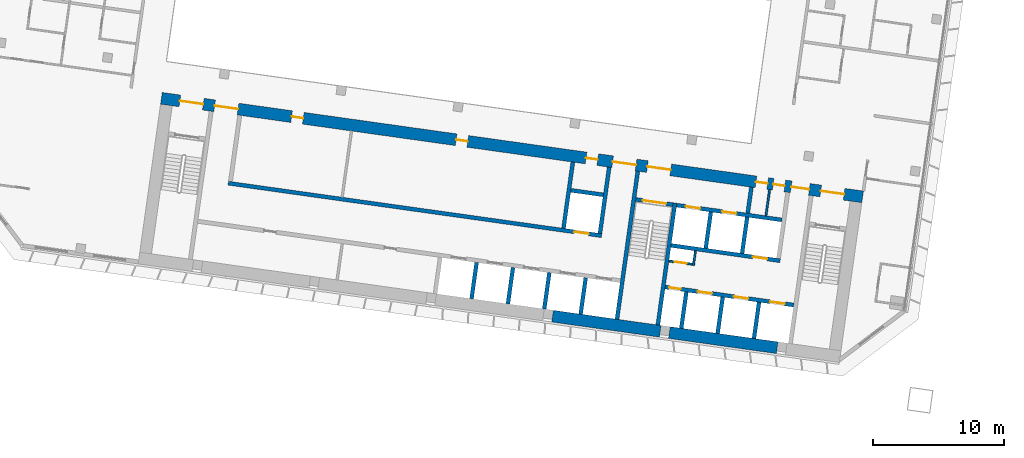
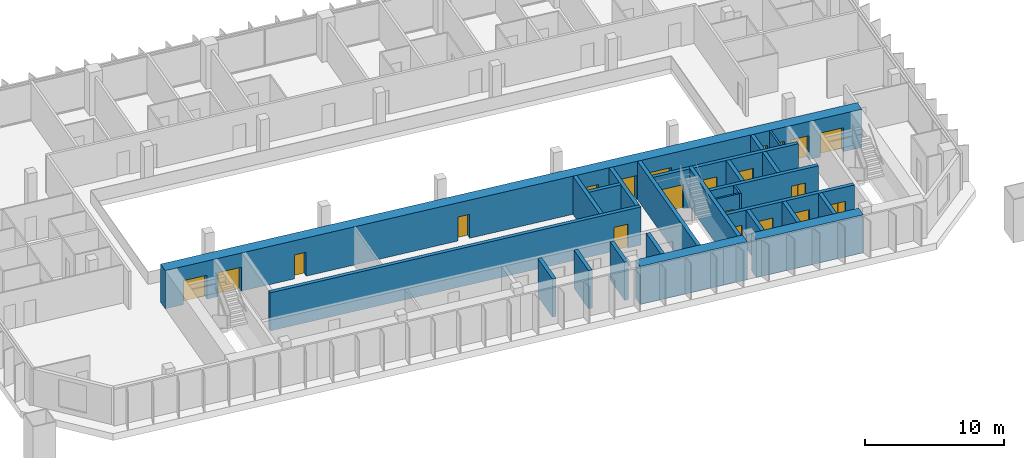
# One storey, part 15 of 24: 26 walls, 21 doors, 21 openings.
"""IFC4 building model written with IfcOpenShell, lengths in metres."""

from ifc_helpers import new_model, si_unit, direction, frame, frame_2d, origin, place, context, subcontext, project, spatial, rectangle, extrude, material, layer, layer_set, type_object, element, fill, save


model = new_model("IFC4")

# Units and contexts
model_context = context("Model", 3, precision=1e-05, world=origin(), true_north=direction((0.0, 1.0)))
body_context = subcontext(model_context, "Body", "Model", "MODEL_VIEW")
ifc_project = project(units=[si_unit("LENGTHUNIT", "METRE"), si_unit("AREAUNIT", "SQUARE_METRE"), si_unit("VOLUMEUNIT", "CUBIC_METRE"), si_unit("PLANEANGLEUNIT", "RADIAN"), si_unit("MASSUNIT", "GRAM", prefix="KILO")], contexts=[model_context])

# Site, building, storey
site_placement = place(None, origin())
site = spatial("IfcSite", under=ifc_project, at=site_placement, CompositionType="ELEMENT")
building_placement = place(site_placement, origin())
building = spatial("IfcBuilding", under=site, at=building_placement, Name="Mirante Cascada Hotel Towers", CompositionType="ELEMENT")
storey_placement = place(building_placement, frame((0.0, 0.0, 43.3)))
storey = spatial("IfcBuildingStorey", under=building, at=storey_placement, Name="L07", CompositionType="ELEMENT", Elevation=43.3)

# Wall
ifc_material_1 = material(Name="Masonry block", Category="masonry")
ifc_layer_1 = layer(ifc_material_1, 0.15)
ifc_layer_set_1 = layer_set([ifc_layer_1], Name="Core room partition 150 block EI 30")
wall_type_1 = type_object("IfcWallType", Name="Core room partition 150 block EI 30", PredefinedType="PARTITIONING", material=ifc_layer_set_1)
wall_1_placement = place(storey_placement, frame((-48.2295, -12.793, 0.0), z_axis=(0.0, 0.0, 1.0), x_axis=(0.1391935, 0.9902652, 0.0)))
element("IfcWall", 1, at=wall_1_placement, inside=storey, type_object=wall_type_1, Name="Core wall partition T1 L07 2", PredefinedType="PARTITIONING", context=body_context, shape_type="SweptSolid", body=[
    extrude(rectangle(XDim=1.1251, YDim=0.15, at=frame_2d((0.5626, 0.0))), origin(), (0.0, 0.0, 1.0), 3.35),
])

# Wall, opening, door
wall_2_placement = place(storey_placement, frame((-48.2933, -12.7083, 0.0), z_axis=(0.0, 0.0, 1.0), x_axis=(-0.990268, 0.1391734, 0.0)))
wall_2 = element("IfcWall", 2, at=wall_2_placement, inside=storey, type_object=wall_type_1, Name="Core wall partition T1 L07 3", PredefinedType="PARTITIONING", context=body_context, shape_type="SweptSolid", body=[
    extrude(rectangle(XDim=1.8251, YDim=0.15, at=frame_2d((0.9126, 0.0))), origin(), (0.0, 0.0, 1.0), 3.35),
])
opening_1_placement = place(wall_2_placement, frame((0.4625, 0.0, 0.0)))
opening_1 = element("IfcOpeningElement", 3, at=opening_1_placement, cuts=wall_2, Name="Opening D1-07-C23", PredefinedType="OPENING", context=body_context, shape_type="SweptSolid", body=[
    extrude(rectangle(XDim=0.9, YDim=2.1, at=frame_2d((0.45, 1.05))), frame((0.0, 0.075, 0.0), z_axis=(0.0, -1.0, 0.0), x_axis=(1.0, 0.0, 0.0)), (0.0, 0.0, 1.0), 0.15),
])
ifc_material_2 = material(Name="Hollow metal fire door leaf")
door_type_1 = type_object("IfcDoorType", Name="Fire door 900x2100 FD60", OperationType="NOTDEFINED", PredefinedType="DOOR", material=ifc_material_2)
door_1_placement = place(opening_1_placement, origin())
door_1 = element("IfcDoor", 4, at=door_1_placement, inside=storey, type_object=door_type_1, Name="Riser door T1 L07 23", OperationType="SINGLE_SWING_LEFT", OverallHeight=2.1, OverallWidth=0.9, PredefinedType="DOOR", context=body_context, shape_type="SweptSolid", body=[
    extrude(rectangle(XDim=0.9, YDim=2.1, at=frame_2d((0.45, 1.05))), frame((0.0, 0.025, 0.0), z_axis=(0.0, -1.0, 0.0), x_axis=(1.0, 0.0, 0.0)), (0.0, 0.0, 1.0), 0.05),
])
fill(opening_1, door_1)

# Walls
wall_3_placement = place(storey_placement, frame((-42.6979, -9.0009, 0.0), z_axis=(0.0, 0.0, 1.0), x_axis=(0.1391529, 0.9902709, 0.0)))
element("IfcWall", 5, at=wall_3_placement, inside=storey, type_object=wall_type_1, Name="Core wall partition T1 L07 4", PredefinedType="PARTITIONING", context=body_context, shape_type="SweptSolid", body=[
    extrude(rectangle(XDim=2.0, YDim=0.15, at=frame_2d((1.0, 0.0))), origin(), (0.0, 0.0, 1.0), 3.35),
])
ifc_material_3 = material(Name="Masonry block", Category="masonry")
ifc_layer_2 = layer(ifc_material_3, 0.3)
ifc_layer_set_2 = layer_set([ifc_layer_2], Name="Core wall 300 block EI 120")
wall_type_2 = type_object("IfcWallType", Name="Core wall 300 block EI 120", PredefinedType="PARTITIONING", material=ifc_layer_set_2)
wall_4_placement = place(storey_placement, frame((-44.0843, -8.8061, 0.0), z_axis=(0.0, 0.0, 1.0), x_axis=(0.1391951, 0.990265, 0.0)))
element("IfcWall", 6, at=wall_4_placement, inside=storey, type_object=wall_type_2, Name="Core wall partition T1 L07 1", PredefinedType="PARTITIONING", context=body_context, shape_type="SweptSolid", body=[
    extrude(rectangle(XDim=2.0001, YDim=0.3, at=frame_2d((1.0001, 0.0))), origin(), (0.0, 0.0, 1.0), 3.35),
])
ifc_material_4 = material(Name="Concrete C50/60", Category="concrete")
ifc_layer_3 = layer(ifc_material_4, 0.3)
ifc_layer_set_3 = layer_set([ifc_layer_3], Name="RC core wall 300 C50/60")
wall_type_3 = type_object("IfcWallType", Name="RC core wall 300 C50/60", PredefinedType="SHEAR", material=ifc_layer_set_3)
wall_5_placement = place(storey_placement, frame((-50.938, -17.3352, 0.0), z_axis=(0.0, 0.0, 1.0), x_axis=(0.1391706, 0.9902684, 0.0)))
element("IfcWall", 7, at=wall_5_placement, inside=storey, type_object=wall_type_3, Name="Core wall T1:L07:6", PredefinedType="SHEAR", context=body_context, shape_type="SweptSolid", body=[
    extrude(rectangle(XDim=9.4, YDim=0.3, at=frame_2d((4.7, 0.0))), origin(), (0.0, 0.0, 1.0), 3.35),
])
wall_6_placement = place(storey_placement, frame((-54.0574, -16.8968, 0.0), z_axis=(0.0, 0.0, 1.0), x_axis=(0.1391761, 0.9902677, 0.0)))
element("IfcWall", 8, at=wall_6_placement, inside=storey, type_object=wall_type_3, Name="Core wall T1:L07:7", PredefinedType="SHEAR", context=body_context, shape_type="SweptSolid", body=[
    extrude(rectangle(XDim=11.3999, YDim=0.3, at=frame_2d((5.7, 0.0))), origin(), (0.0, 0.0, 1.0), 3.35),
])

# Wall, opening, door
wall_7_placement = place(storey_placement, frame((-49.7992, -8.1544, 0.0), z_axis=(0.0, 0.0, 1.0), x_axis=(-0.9902656, 0.1391909, 0.0)))
wall_7 = element("IfcWall", 9, at=wall_7_placement, inside=storey, type_object=wall_type_3, Name="Core wall T1:L07:10", PredefinedType="SHEAR", context=body_context, shape_type="SweptSolid", body=[
    extrude(rectangle(XDim=2.85, YDim=0.3, at=frame_2d((1.425, 0.0))), origin(), (0.0, 0.0, 1.0), 3.35),
])
opening_2_placement = place(wall_7_placement, frame((0.525, 0.0, 0.0)))
opening_2 = element("IfcOpeningElement", 10, at=opening_2_placement, cuts=wall_7, Name="Opening D1-07-C15", PredefinedType="OPENING", context=body_context, shape_type="SweptSolid", body=[
    extrude(rectangle(XDim=1.8, YDim=2.1, at=frame_2d((0.9, 1.05))), frame((0.0, 0.15, 0.0), z_axis=(0.0, -1.0, 0.0), x_axis=(1.0, 0.0, 0.0)), (0.0, 0.0, 1.0), 0.3),
])
ifc_material_5 = material(Name="Hollow metal fire door leaf")
door_type_2 = type_object("IfcDoorType", Name="Double fire door 1800x2100 FD60", OperationType="DOUBLE_DOOR_SINGLE_SWING", PredefinedType="DOOR", material=ifc_material_5)
door_2_placement = place(opening_2_placement, origin())
door_2 = element("IfcDoor", 11, at=door_2_placement, inside=storey, type_object=door_type_2, Name="Stair door T1 L07 15", OperationType="DOUBLE_DOOR_SINGLE_SWING", OverallHeight=2.1, OverallWidth=1.8, PredefinedType="DOOR", context=body_context, shape_type="SweptSolid", body=[
    extrude(rectangle(XDim=0.895, YDim=2.1, at=frame_2d((0.4475, 1.05))), frame((0.0, 0.025, 0.0), z_axis=(0.0, -1.0, 0.0), x_axis=(1.0, 0.0, 0.0)), (0.0, 0.0, 1.0), 0.05),
    extrude(rectangle(XDim=0.895, YDim=2.1, at=frame_2d((1.3525, 1.05))), frame((0.0, 0.025, 0.0), z_axis=(0.0, -1.0, 0.0), x_axis=(1.0, 0.0, 0.0)), (0.0, 0.0, 1.0), 0.05),
])
fill(opening_2, door_2)

# Wall, openings, doors
wall_8_placement = place(storey_placement, frame((-40.5753, -15.8126, 0.0), z_axis=(0.0, 0.0, 1.0), x_axis=(-0.9902682, 0.1391725, 0.0)))
wall_8 = element("IfcWall", 12, at=wall_8_placement, inside=storey, type_object=wall_type_3, Name="Core wall T1:L07:12", PredefinedType="SHEAR", context=body_context, shape_type="SweptSolid", body=[
    extrude(rectangle(XDim=9.8999, YDim=0.3, at=frame_2d((4.95, 0.0))), origin(), (0.0, 0.0, 1.0), 3.35),
])
opening_3_placement = place(wall_8_placement, frame((0.7, 0.0, 0.0)))
opening_3 = element("IfcOpeningElement", 13, at=opening_3_placement, cuts=wall_8, Name="Opening LD", PredefinedType="OPENING", context=body_context, shape_type="SweptSolid", body=[
    extrude(rectangle(XDim=1.1, YDim=2.1, at=frame_2d((0.55, 1.05))), frame((0.0, 0.15, 0.0), z_axis=(0.0, -1.0, 0.0), x_axis=(1.0, 0.0, 0.0)), (0.0, 0.0, 1.0), 0.3),
])
opening_4_placement = place(wall_8_placement, frame((3.5, 0.0, 0.0)))
opening_4 = element("IfcOpeningElement", 14, at=opening_4_placement, cuts=wall_8, Name="Opening LD", PredefinedType="OPENING", context=body_context, shape_type="SweptSolid", body=[
    extrude(rectangle(XDim=1.1, YDim=2.1, at=frame_2d((0.55, 1.05))), frame((0.0, 0.15, 0.0), z_axis=(0.0, -1.0, 0.0), x_axis=(1.0, 0.0, 0.0)), (0.0, 0.0, 1.0), 0.3),
])
opening_5_placement = place(wall_8_placement, frame((6.3, 0.0, 0.0)))
opening_5 = element("IfcOpeningElement", 15, at=opening_5_placement, cuts=wall_8, Name="Opening LD", PredefinedType="OPENING", context=body_context, shape_type="SweptSolid", body=[
    extrude(rectangle(XDim=1.1, YDim=2.1, at=frame_2d((0.55, 1.05))), frame((0.0, 0.15, 0.0), z_axis=(0.0, -1.0, 0.0), x_axis=(1.0, 0.0, 0.0)), (0.0, 0.0, 1.0), 0.3),
])
opening_6_placement = place(wall_8_placement, frame((8.7, 0.0, 0.0)))
opening_6 = element("IfcOpeningElement", 16, at=opening_6_placement, cuts=wall_8, Name="Opening D1-07-C22", PredefinedType="OPENING", context=body_context, shape_type="SweptSolid", body=[
    extrude(rectangle(XDim=0.9, YDim=2.1, at=frame_2d((0.45, 1.05))), frame((0.0, 0.15, 0.0), z_axis=(0.0, -1.0, 0.0), x_axis=(1.0, 0.0, 0.0)), (0.0, 0.0, 1.0), 0.3),
])
door_3_placement = place(opening_6_placement, origin())
door_3 = element("IfcDoor", 17, at=door_3_placement, inside=storey, type_object=door_type_1, Name="Riser door T1 L07 22", OperationType="SINGLE_SWING_LEFT", OverallHeight=2.1, OverallWidth=0.9, PredefinedType="DOOR", context=body_context, shape_type="SweptSolid", body=[
    extrude(rectangle(XDim=0.9, YDim=2.1, at=frame_2d((0.45, 1.05))), frame((0.0, 0.025, 0.0), z_axis=(0.0, -1.0, 0.0), x_axis=(1.0, 0.0, 0.0)), (0.0, 0.0, 1.0), 0.05),
])
fill(opening_6, door_3)
ifc_material_6 = material(Name="Stainless steel", Category="steel")
door_type_3 = type_object("IfcDoorType", Name="Lift landing door 1100x2100 EI 120", OperationType="DOUBLE_DOOR_SLIDING", PredefinedType="DOOR", material=ifc_material_6)
door_4_placement = place(opening_3_placement, origin())
door_4 = element("IfcDoor", 18, at=door_4_placement, inside=storey, type_object=door_type_3, Name="Lift landing door HR1-1 L07", OperationType="DOUBLE_DOOR_SLIDING", OverallHeight=2.1, OverallWidth=1.1, PredefinedType="DOOR", context=body_context, shape_type="SweptSolid", body=[
    extrude(rectangle(XDim=0.545, YDim=2.1, at=frame_2d((0.2725, 1.05))), frame((0.0, 0.025, 0.0), z_axis=(0.0, -1.0, 0.0), x_axis=(1.0, 0.0, 0.0)), (0.0, 0.0, 1.0), 0.05),
    extrude(rectangle(XDim=0.545, YDim=2.1, at=frame_2d((0.8275, 1.05))), frame((0.0, 0.025, 0.0), z_axis=(0.0, -1.0, 0.0), x_axis=(1.0, 0.0, 0.0)), (0.0, 0.0, 1.0), 0.05),
])
fill(opening_3, door_4)
door_5_placement = place(opening_4_placement, origin())
door_5 = element("IfcDoor", 19, at=door_5_placement, inside=storey, type_object=door_type_3, Name="Lift landing door HR1-2 L07", OperationType="DOUBLE_DOOR_SLIDING", OverallHeight=2.1, OverallWidth=1.1, PredefinedType="DOOR", context=body_context, shape_type="SweptSolid", body=[
    extrude(rectangle(XDim=0.545, YDim=2.1, at=frame_2d((0.2725, 1.05))), frame((0.0, 0.025, 0.0), z_axis=(0.0, -1.0, 0.0), x_axis=(1.0, 0.0, 0.0)), (0.0, 0.0, 1.0), 0.05),
    extrude(rectangle(XDim=0.545, YDim=2.1, at=frame_2d((0.8275, 1.05))), frame((0.0, 0.025, 0.0), z_axis=(0.0, -1.0, 0.0), x_axis=(1.0, 0.0, 0.0)), (0.0, 0.0, 1.0), 0.05),
])
fill(opening_4, door_5)
door_6_placement = place(opening_5_placement, origin())
door_6 = element("IfcDoor", 20, at=door_6_placement, inside=storey, type_object=door_type_3, Name="Lift landing door HR1-3 L07", OperationType="DOUBLE_DOOR_SLIDING", OverallHeight=2.1, OverallWidth=1.1, PredefinedType="DOOR", context=body_context, shape_type="SweptSolid", body=[
    extrude(rectangle(XDim=0.545, YDim=2.1, at=frame_2d((0.2725, 1.05))), frame((0.0, 0.025, 0.0), z_axis=(0.0, -1.0, 0.0), x_axis=(1.0, 0.0, 0.0)), (0.0, 0.0, 1.0), 0.05),
    extrude(rectangle(XDim=0.545, YDim=2.1, at=frame_2d((0.8275, 1.05))), frame((0.0, 0.025, 0.0), z_axis=(0.0, -1.0, 0.0), x_axis=(1.0, 0.0, 0.0)), (0.0, 0.0, 1.0), 0.05),
])
fill(opening_5, door_6)

# Wall, opening, door
wall_9_placement = place(storey_placement, frame((-41.6153, -12.435, 0.0), z_axis=(0.0, 0.0, 1.0), x_axis=(-0.9902691, 0.139166, 0.0)))
wall_9 = element("IfcWall", 21, at=wall_9_placement, inside=storey, type_object=wall_type_3, Name="Core wall T1:L07:13", PredefinedType="SHEAR", context=body_context, shape_type="SweptSolid", body=[
    extrude(rectangle(XDim=8.4, YDim=0.3, at=frame_2d((4.2, 0.0))), origin(), (0.0, 0.0, 1.0), 3.35),
])
opening_7_placement = place(wall_9_placement, frame((1.0, 0.0, 0.0)))
opening_7 = element("IfcOpeningElement", 22, at=opening_7_placement, cuts=wall_9, Name="Opening LD", PredefinedType="OPENING", context=body_context, shape_type="SweptSolid", body=[
    extrude(rectangle(XDim=1.1, YDim=2.1, at=frame_2d((0.55, 1.05))), frame((0.0, 0.15, 0.0), z_axis=(0.0, -1.0, 0.0), x_axis=(1.0, 0.0, 0.0)), (0.0, 0.0, 1.0), 0.3),
])
door_7_placement = place(opening_7_placement, origin())
door_7 = element("IfcDoor", 23, at=door_7_placement, inside=storey, type_object=door_type_3, Name="Lift landing door HR1-4 L07", OperationType="DOUBLE_DOOR_SLIDING", OverallHeight=2.1, OverallWidth=1.1, PredefinedType="DOOR", context=body_context, shape_type="SweptSolid", body=[
    extrude(rectangle(XDim=0.545, YDim=2.1, at=frame_2d((0.2725, 1.05))), frame((0.0, 0.025, 0.0), z_axis=(0.0, -1.0, 0.0), x_axis=(1.0, 0.0, 0.0)), (0.0, 0.0, 1.0), 0.05),
    extrude(rectangle(XDim=0.545, YDim=2.1, at=frame_2d((0.8275, 1.05))), frame((0.0, 0.025, 0.0), z_axis=(0.0, -1.0, 0.0), x_axis=(1.0, 0.0, 0.0)), (0.0, 0.0, 1.0), 0.05),
])
fill(opening_7, door_7)

# Wall, openings, doors
wall_10_placement = place(storey_placement, frame((-41.481, -9.3234, 0.0), z_axis=(0.0, 0.0, 1.0), x_axis=(-0.9902679, 0.1391741, 0.0)))
wall_10 = element("IfcWall", 24, at=wall_10_placement, inside=storey, type_object=wall_type_3, Name="Core wall T1:L07:14", PredefinedType="SHEAR", context=body_context, shape_type="SweptSolid", body=[
    extrude(rectangle(XDim=8.0999, YDim=0.3, at=frame_2d((4.05, 0.0))), origin(), (0.0, 0.0, 1.0), 3.35),
])
opening_8_placement = place(wall_10_placement, frame((3.5, 0.0, 0.0)))
opening_8 = element("IfcOpeningElement", 25, at=opening_8_placement, cuts=wall_10, Name="Opening LD", PredefinedType="OPENING", context=body_context, shape_type="SweptSolid", body=[
    extrude(rectangle(XDim=1.1, YDim=2.1, at=frame_2d((0.55, 1.05))), frame((0.0, 0.15, 0.0), z_axis=(0.0, -1.0, 0.0), x_axis=(1.0, 0.0, 0.0)), (0.0, 0.0, 1.0), 0.3),
])
opening_9_placement = place(wall_10_placement, frame((6.3, 0.0, 0.0)))
opening_9 = element("IfcOpeningElement", 26, at=opening_9_placement, cuts=wall_10, Name="Opening LD", PredefinedType="OPENING", context=body_context, shape_type="SweptSolid", body=[
    extrude(rectangle(XDim=1.1, YDim=2.1, at=frame_2d((0.55, 1.05))), frame((0.0, 0.15, 0.0), z_axis=(0.0, -1.0, 0.0), x_axis=(1.0, 0.0, 0.0)), (0.0, 0.0, 1.0), 0.3),
])
door_8_placement = place(opening_8_placement, origin())
door_8 = element("IfcDoor", 27, at=door_8_placement, inside=storey, type_object=door_type_3, Name="Lift landing door FF1 L07", OperationType="DOUBLE_DOOR_SLIDING", OverallHeight=2.1, OverallWidth=1.1, PredefinedType="DOOR", context=body_context, shape_type="SweptSolid", body=[
    extrude(rectangle(XDim=0.545, YDim=2.1, at=frame_2d((0.2725, 1.05))), frame((0.0, 0.025, 0.0), z_axis=(0.0, -1.0, 0.0), x_axis=(1.0, 0.0, 0.0)), (0.0, 0.0, 1.0), 0.05),
    extrude(rectangle(XDim=0.545, YDim=2.1, at=frame_2d((0.8275, 1.05))), frame((0.0, 0.025, 0.0), z_axis=(0.0, -1.0, 0.0), x_axis=(1.0, 0.0, 0.0)), (0.0, 0.0, 1.0), 0.05),
])
fill(opening_8, door_8)
door_9_placement = place(opening_9_placement, origin())
door_9 = element("IfcDoor", 28, at=door_9_placement, inside=storey, type_object=door_type_3, Name="Lift landing door FF2 L07", OperationType="DOUBLE_DOOR_SLIDING", OverallHeight=2.1, OverallWidth=1.1, PredefinedType="DOOR", context=body_context, shape_type="SweptSolid", body=[
    extrude(rectangle(XDim=0.545, YDim=2.1, at=frame_2d((0.2725, 1.05))), frame((0.0, 0.025, 0.0), z_axis=(0.0, -1.0, 0.0), x_axis=(1.0, 0.0, 0.0)), (0.0, 0.0, 1.0), 0.05),
    extrude(rectangle(XDim=0.545, YDim=2.1, at=frame_2d((0.8275, 1.05))), frame((0.0, 0.025, 0.0), z_axis=(0.0, -1.0, 0.0), x_axis=(1.0, 0.0, 0.0)), (0.0, 0.0, 1.0), 0.05),
])
fill(opening_9, door_9)

# Walls
wall_11_placement = place(storey_placement, frame((-43.61, -18.3651, 0.0), z_axis=(0.0, 0.0, 1.0), x_axis=(0.1391459, 0.9902719, 0.0)))
element("IfcWall", 29, at=wall_11_placement, inside=storey, type_object=wall_type_3, Name="Core wall T1:L07:15", PredefinedType="SHEAR", context=body_context, shape_type="SweptSolid", body=[
    extrude(rectangle(XDim=2.7999, YDim=0.3, at=frame_2d((1.4, 0.0))), origin(), (0.0, 0.0, 1.0), 3.35),
])
wall_12_placement = place(storey_placement, frame((-46.3828, -17.9754, 0.0), z_axis=(0.0, 0.0, 1.0), x_axis=(0.139181, 0.990267, 0.0)))
element("IfcWall", 30, at=wall_12_placement, inside=storey, type_object=wall_type_3, Name="Core wall T1:L07:16", PredefinedType="SHEAR", context=body_context, shape_type="SweptSolid", body=[
    extrude(rectangle(XDim=2.8, YDim=0.3, at=frame_2d((1.4, 0.0))), origin(), (0.0, 0.0, 1.0), 3.35),
])
wall_13_placement = place(storey_placement, frame((-49.1555, -17.5857, 0.0), z_axis=(0.0, 0.0, 1.0), x_axis=(0.1391459, 0.9902719, 0.0)))
element("IfcWall", 31, at=wall_13_placement, inside=storey, type_object=wall_type_3, Name="Core wall T1:L07:17", PredefinedType="SHEAR", context=body_context, shape_type="SweptSolid", body=[
    extrude(rectangle(XDim=2.7999, YDim=0.3, at=frame_2d((1.4, 0.0))), origin(), (0.0, 0.0, 1.0), 3.35),
])
for number, where, z_axis, x_axis, name in (
    (32, (-44.5157, -11.8759, 0.0), (0.0, 0.0, 1.0), (0.139181, 0.990267, 0.0), "Core wall T1:L07:18"),
    (33, (-47.2885, -11.4862, 0.0), (0.0, 0.0, 1.0), (0.139181, 0.990267, 0.0), "Core wall T1:L07:19"),
):
    element("IfcWall", number, at=place(storey_placement, frame(where, z_axis=z_axis, x_axis=x_axis)), inside=storey, type_object=wall_type_3, Name=name, PredefinedType="SHEAR", context=body_context, shape_type="SweptSolid", body=[
        extrude(rectangle(XDim=2.8, YDim=0.3, at=frame_2d((1.4, 0.0))), origin(), (0.0, 0.0, 1.0), 3.35),
    ])
for number, where, z_axis, x_axis, name in (
    (34, (-56.8301, -16.5072, 0.0), (0.0, 0.0, 1.0), (0.139176, 0.9902677, 0.0), "Core wall T1:L07:26"),
    (35, (-59.6029, -16.1175, 0.0), (0.0, 0.0, 1.0), (0.139176, 0.9902677, 0.0), "Core wall T1:L07:27"),
    (36, (-62.3756, -15.7278, 0.0), (0.0, 0.0, 1.0), (0.139176, 0.9902677, 0.0), "Core wall T1:L07:28"),
    (37, (-65.1484, -15.3381, 0.0), (0.0, 0.0, 1.0), (0.139176, 0.9902677, 0.0), "Core wall T1:L07:29"),
):
    element("IfcWall", number, at=place(storey_placement, frame(where, z_axis=z_axis, x_axis=x_axis)), inside=storey, type_object=wall_type_3, Name=name, PredefinedType="SHEAR", context=body_context, shape_type="SweptSolid", body=[
        extrude(rectangle(XDim=2.8001, YDim=0.3, at=frame_2d((1.4, 0.0))), origin(), (0.0, 0.0, 1.0), 3.35),
    ])

# Wall, opening, door
wall_14_placement = place(storey_placement, frame((-55.2315, -10.5214, 0.0), z_axis=(0.0, 0.0, 1.0), x_axis=(-0.9902682, 0.1391722, 0.0)))
wall_14 = element("IfcWall", 38, at=wall_14_placement, inside=storey, type_object=wall_type_3, Name="Core wall T1:L07:32", PredefinedType="SHEAR", context=body_context, shape_type="SweptSolid", body=[
    extrude(rectangle(XDim=28.75, YDim=0.3, at=frame_2d((14.375, 0.0))), origin(), (0.0, 0.0, 1.0), 3.35),
])
opening_10_placement = place(wall_14_placement, frame((1.0, 0.0, 0.0)))
opening_10 = element("IfcOpeningElement", 39, at=opening_10_placement, cuts=wall_14, Name="Opening LD", PredefinedType="OPENING", context=body_context, shape_type="SweptSolid", body=[
    extrude(rectangle(XDim=1.1, YDim=2.1, at=frame_2d((0.55, 1.05))), frame((0.0, 0.15, 0.0), z_axis=(0.0, -1.0, 0.0), x_axis=(1.0, 0.0, 0.0)), (0.0, 0.0, 1.0), 0.3),
])
door_10_placement = place(opening_10_placement, origin())
door_10 = element("IfcDoor", 40, at=door_10_placement, inside=storey, type_object=door_type_3, Name="Lift landing door LR1-3 L07", OperationType="DOUBLE_DOOR_SLIDING", OverallHeight=2.1, OverallWidth=1.1, PredefinedType="DOOR", context=body_context, shape_type="SweptSolid", body=[
    extrude(rectangle(XDim=0.545, YDim=2.1, at=frame_2d((0.2725, 1.05))), frame((0.0, 0.025, 0.0), z_axis=(0.0, -1.0, 0.0), x_axis=(1.0, 0.0, 0.0)), (0.0, 0.0, 1.0), 0.05),
    extrude(rectangle(XDim=0.545, YDim=2.1, at=frame_2d((0.8275, 1.05))), frame((0.0, 0.025, 0.0), z_axis=(0.0, -1.0, 0.0), x_axis=(1.0, 0.0, 0.0)), (0.0, 0.0, 1.0), 0.05),
])
fill(opening_10, door_10)

# Walls
for number, where, z_axis, x_axis, name in (
    (41, (-55.3592, -10.352, 0.0), (0.0, 0.0, 1.0), (0.1391755, 0.9902677, 0.0), "Core wall T1:L07:33"),
    (42, (-58.1319, -9.9623, 0.0), (0.0, 0.0, 1.0), (0.1391755, 0.9902677, 0.0), "Core wall T1:L07:35"),
):
    element("IfcWall", number, at=place(storey_placement, frame(where, z_axis=z_axis, x_axis=x_axis)), inside=storey, type_object=wall_type_3, Name=name, PredefinedType="SHEAR", context=body_context, shape_type="SweptSolid", body=[
        extrude(rectangle(XDim=5.1, YDim=0.3, at=frame_2d((2.55, 0.0))), origin(), (0.0, 0.0, 1.0), 3.35),
    ])
wall_15_placement = place(storey_placement, frame((-55.0971, -7.4098, 0.0), z_axis=(0.0, 0.0, 1.0), x_axis=(-0.9902701, 0.1391586, 0.0)))
element("IfcWall", 43, at=wall_15_placement, inside=storey, type_object=wall_type_3, Name="Core wall T1:L07:36", PredefinedType="SHEAR", context=body_context, shape_type="SweptSolid", body=[
    extrude(rectangle(XDim=2.5, YDim=0.3, at=frame_2d((1.25, 0.0))), origin(), (0.0, 0.0, 1.0), 3.35),
])
ifc_material_7 = material(Name="Concrete C50/60", Category="concrete")
ifc_layer_4 = layer(ifc_material_7, 0.9)
ifc_layer_set_4 = layer_set([ifc_layer_4], Name="RC core wall 900 C50/60")
wall_type_4 = type_object("IfcWallType", Name="RC core wall 900 C50/60", PredefinedType="SHEAR", material=ifc_layer_set_4)
for number, where, z_axis, x_axis, name in (
    (44, (-41.8407, -19.0682, 0.0), (0.0, 0.0, 1.0), (-0.9902686, 0.1391692, 0.0), "Core wall T1:L07:1.2"),
    (45, (-50.7531, -17.8156, 0.0), (0.0, 0.0, 1.0), (-0.9902686, 0.1391692, 0.0), "Core wall T1:L07:1.3"),
):
    element("IfcWall", number, at=place(storey_placement, frame(where, z_axis=z_axis, x_axis=x_axis)), inside=storey, type_object=wall_type_4, Name=name, PredefinedType="SHEAR", context=body_context, shape_type="SweptSolid", body=[
        extrude(rectangle(XDim=8.3, YDim=0.9, at=frame_2d((4.15, 0.0))), origin(), (0.0, 0.0, 1.0), 3.35),
    ])

# Wall, openings, doors
wall_16_placement = place(storey_placement, frame((-35.326, -7.5629, 0.0), z_axis=(0.0, 0.0, 1.0), x_axis=(-0.9902679, 0.139174, 0.0)))
wall_16 = element("IfcWall", 46, at=wall_16_placement, inside=storey, type_object=wall_type_4, Name="Core wall T1:L07:2", PredefinedType="SHEAR", context=body_context, shape_type="SweptSolid", body=[
    extrude(rectangle(XDim=54.0, YDim=0.9, at=frame_2d((27.0, 0.0))), origin(), (0.0, 0.0, 1.0), 3.35),
])
opening_11_placement = place(wall_16_placement, frame((1.425, 0.0, 0.0)))
opening_11 = element("IfcOpeningElement", 47, at=opening_11_placement, cuts=wall_16, Name="Opening D1-07-C14", PredefinedType="OPENING", context=body_context, shape_type="SweptSolid", body=[
    extrude(rectangle(XDim=1.8, YDim=2.1, at=frame_2d((0.9, 1.05))), frame((0.0, 0.45, 0.0), z_axis=(0.0, -1.0, 0.0), x_axis=(1.0, 0.0, 0.0)), (0.0, 0.0, 1.0), 0.9),
])
opening_12_placement = place(wall_16_placement, frame((14.775, 0.0, 0.0)))
opening_12 = element("IfcOpeningElement", 48, at=opening_12_placement, cuts=wall_16, Name="Opening D1-07-C16", PredefinedType="OPENING", context=body_context, shape_type="SweptSolid", body=[
    extrude(rectangle(XDim=1.8, YDim=2.1, at=frame_2d((0.9, 1.05))), frame((0.0, 0.45, 0.0), z_axis=(0.0, -1.0, 0.0), x_axis=(1.0, 0.0, 0.0)), (0.0, 0.0, 1.0), 0.9),
])
opening_13_placement = place(wall_16_placement, frame((50.775, 0.0, 0.0)))
opening_13 = element("IfcOpeningElement", 49, at=opening_13_placement, cuts=wall_16, Name="Opening D1-07-C18", PredefinedType="OPENING", context=body_context, shape_type="SweptSolid", body=[
    extrude(rectangle(XDim=1.8, YDim=2.1, at=frame_2d((0.9, 1.05))), frame((0.0, 0.45, 0.0), z_axis=(0.0, -1.0, 0.0), x_axis=(1.0, 0.0, 0.0)), (0.0, 0.0, 1.0), 0.9),
])
opening_14_placement = place(wall_16_placement, frame((4.1, 0.0, 0.0)))
opening_14 = element("IfcOpeningElement", 50, at=opening_14_placement, cuts=wall_16, Name="Opening D1-07-C19", PredefinedType="OPENING", context=body_context, shape_type="SweptSolid", body=[
    extrude(rectangle(XDim=1.4, YDim=2.1, at=frame_2d((0.7, 1.05))), frame((0.0, 0.45, 0.0), z_axis=(0.0, -1.0, 0.0), x_axis=(1.0, 0.0, 0.0)), (0.0, 0.0, 1.0), 0.9),
])
opening_15_placement = place(wall_16_placement, frame((17.45, 0.0, 0.0)))
opening_15 = element("IfcOpeningElement", 51, at=opening_15_placement, cuts=wall_16, Name="Opening D1-07-C20", PredefinedType="OPENING", context=body_context, shape_type="SweptSolid", body=[
    extrude(rectangle(XDim=1.8, YDim=2.1, at=frame_2d((0.9, 1.05))), frame((0.0, 0.45, 0.0), z_axis=(0.0, -1.0, 0.0), x_axis=(1.0, 0.0, 0.0)), (0.0, 0.0, 1.0), 0.9),
])
opening_16_placement = place(wall_16_placement, frame((48.1, 0.0, 0.0)))
opening_16 = element("IfcOpeningElement", 52, at=opening_16_placement, cuts=wall_16, Name="Opening D1-07-C21", PredefinedType="OPENING", context=body_context, shape_type="SweptSolid", body=[
    extrude(rectangle(XDim=1.8, YDim=2.1, at=frame_2d((0.9, 1.05))), frame((0.0, 0.45, 0.0), z_axis=(0.0, -1.0, 0.0), x_axis=(1.0, 0.0, 0.0)), (0.0, 0.0, 1.0), 0.9),
])
opening_17_placement = place(wall_16_placement, frame((5.9875, 0.0, 0.0)))
opening_17 = element("IfcOpeningElement", 53, at=opening_17_placement, cuts=wall_16, Name="Opening D1-07-C24", PredefinedType="OPENING", context=body_context, shape_type="SweptSolid", body=[
    extrude(rectangle(XDim=0.9, YDim=2.1, at=frame_2d((0.45, 1.05))), frame((0.0, 0.45, 0.0), z_axis=(0.0, -1.0, 0.0), x_axis=(1.0, 0.0, 0.0)), (0.0, 0.0, 1.0), 0.9),
])
opening_18_placement = place(wall_16_placement, frame((7.3125, 0.0, 0.0)))
opening_18 = element("IfcOpeningElement", 54, at=opening_18_placement, cuts=wall_16, Name="Opening D1-07-C25", PredefinedType="OPENING", context=body_context, shape_type="SweptSolid", body=[
    extrude(rectangle(XDim=0.9, YDim=2.1, at=frame_2d((0.45, 1.05))), frame((0.0, 0.45, 0.0), z_axis=(0.0, -1.0, 0.0), x_axis=(1.0, 0.0, 0.0)), (0.0, 0.0, 1.0), 0.9),
])
opening_19_placement = place(wall_16_placement, frame((20.4, 0.0, 0.0)))
opening_19 = element("IfcOpeningElement", 55, at=opening_19_placement, cuts=wall_16, Name="Opening D1-07-C28", PredefinedType="OPENING", context=body_context, shape_type="SweptSolid", body=[
    extrude(rectangle(XDim=0.9, YDim=2.1, at=frame_2d((0.45, 1.05))), frame((0.0, 0.45, 0.0), z_axis=(0.0, -1.0, 0.0), x_axis=(1.0, 0.0, 0.0)), (0.0, 0.0, 1.0), 0.9),
])
opening_20_placement = place(wall_16_placement, frame((30.4, 0.0, 0.0)))
opening_20 = element("IfcOpeningElement", 56, at=opening_20_placement, cuts=wall_16, Name="Opening D1-07-C29", PredefinedType="OPENING", context=body_context, shape_type="SweptSolid", body=[
    extrude(rectangle(XDim=0.9, YDim=2.1, at=frame_2d((0.45, 1.05))), frame((0.0, 0.45, 0.0), z_axis=(0.0, -1.0, 0.0), x_axis=(1.0, 0.0, 0.0)), (0.0, 0.0, 1.0), 0.9),
])
opening_21_placement = place(wall_16_placement, frame((43.075, 0.0, 0.0)))
opening_21 = element("IfcOpeningElement", 57, at=opening_21_placement, cuts=wall_16, Name="Opening D1-07-C30", PredefinedType="OPENING", context=body_context, shape_type="SweptSolid", body=[
    extrude(rectangle(XDim=0.9, YDim=2.1, at=frame_2d((0.45, 1.05))), frame((0.0, 0.45, 0.0), z_axis=(0.0, -1.0, 0.0), x_axis=(1.0, 0.0, 0.0)), (0.0, 0.0, 1.0), 0.9),
])
ifc_material_8 = material(Name="Hollow metal fire door leaf")
door_type_4 = type_object("IfcDoorType", Name="Double fire door 1400x2100 FD60", OperationType="DOUBLE_DOOR_SINGLE_SWING", PredefinedType="DOOR", material=ifc_material_8)
door_11_placement = place(opening_14_placement, frame((1.4, 0.0, 0.0), z_axis=(0.0, 0.0, 1.0), x_axis=(-1.0, 0.0, 0.0)))
door_11 = element("IfcDoor", 58, at=door_11_placement, inside=storey, type_object=door_type_4, Name="Exit door to gallery T1 L07 19", OperationType="DOUBLE_DOOR_SINGLE_SWING", OverallHeight=2.1, OverallWidth=1.4, PredefinedType="DOOR", context=body_context, shape_type="SweptSolid", body=[
    extrude(rectangle(XDim=0.695, YDim=2.1, at=frame_2d((0.3475, 1.05))), frame((0.0, 0.025, 0.0), z_axis=(0.0, -1.0, 0.0), x_axis=(1.0, 0.0, 0.0)), (0.0, 0.0, 1.0), 0.05),
    extrude(rectangle(XDim=0.695, YDim=2.1, at=frame_2d((1.0525, 1.05))), frame((0.0, 0.025, 0.0), z_axis=(0.0, -1.0, 0.0), x_axis=(1.0, 0.0, 0.0)), (0.0, 0.0, 1.0), 0.05),
])
fill(opening_14, door_11)
door_12_placement = place(opening_11_placement, origin())
door_12 = element("IfcDoor", 59, at=door_12_placement, inside=storey, type_object=door_type_2, Name="Exit door to gallery T1 L07 14", OperationType="DOUBLE_DOOR_SINGLE_SWING", OverallHeight=2.1, OverallWidth=1.8, PredefinedType="DOOR", context=body_context, shape_type="SweptSolid", body=[
    extrude(rectangle(XDim=0.895, YDim=2.1, at=frame_2d((0.4475, 1.05))), frame((0.0, 0.025, 0.0), z_axis=(0.0, -1.0, 0.0), x_axis=(1.0, 0.0, 0.0)), (0.0, 0.0, 1.0), 0.05),
    extrude(rectangle(XDim=0.895, YDim=2.1, at=frame_2d((1.3525, 1.05))), frame((0.0, 0.025, 0.0), z_axis=(0.0, -1.0, 0.0), x_axis=(1.0, 0.0, 0.0)), (0.0, 0.0, 1.0), 0.05),
])
fill(opening_11, door_12)
door_13_placement = place(opening_12_placement, origin())
door_13 = element("IfcDoor", 60, at=door_13_placement, inside=storey, type_object=door_type_2, Name="Exit door to gallery T1 L07 16", OperationType="DOUBLE_DOOR_SINGLE_SWING", OverallHeight=2.1, OverallWidth=1.8, PredefinedType="DOOR", context=body_context, shape_type="SweptSolid", body=[
    extrude(rectangle(XDim=0.895, YDim=2.1, at=frame_2d((0.4475, 1.05))), frame((0.0, 0.025, 0.0), z_axis=(0.0, -1.0, 0.0), x_axis=(1.0, 0.0, 0.0)), (0.0, 0.0, 1.0), 0.05),
    extrude(rectangle(XDim=0.895, YDim=2.1, at=frame_2d((1.3525, 1.05))), frame((0.0, 0.025, 0.0), z_axis=(0.0, -1.0, 0.0), x_axis=(1.0, 0.0, 0.0)), (0.0, 0.0, 1.0), 0.05),
])
fill(opening_12, door_13)
door_14_placement = place(opening_13_placement, origin())
door_14 = element("IfcDoor", 61, at=door_14_placement, inside=storey, type_object=door_type_2, Name="Exit door to gallery T1 L07 18", OperationType="DOUBLE_DOOR_SINGLE_SWING", OverallHeight=2.1, OverallWidth=1.8, PredefinedType="DOOR", context=body_context, shape_type="SweptSolid", body=[
    extrude(rectangle(XDim=0.895, YDim=2.1, at=frame_2d((0.4475, 1.05))), frame((0.0, 0.025, 0.0), z_axis=(0.0, -1.0, 0.0), x_axis=(1.0, 0.0, 0.0)), (0.0, 0.0, 1.0), 0.05),
    extrude(rectangle(XDim=0.895, YDim=2.1, at=frame_2d((1.3525, 1.05))), frame((0.0, 0.025, 0.0), z_axis=(0.0, -1.0, 0.0), x_axis=(1.0, 0.0, 0.0)), (0.0, 0.0, 1.0), 0.05),
])
fill(opening_13, door_14)
door_15_placement = place(opening_15_placement, frame((1.8, 0.0, 0.0), z_axis=(0.0, 0.0, 1.0), x_axis=(-1.0, 0.0, 0.0)))
door_15 = element("IfcDoor", 62, at=door_15_placement, inside=storey, type_object=door_type_2, Name="Exit door to gallery T1 L07 20", OperationType="DOUBLE_DOOR_SINGLE_SWING", OverallHeight=2.1, OverallWidth=1.8, PredefinedType="DOOR", context=body_context, shape_type="SweptSolid", body=[
    extrude(rectangle(XDim=0.895, YDim=2.1, at=frame_2d((0.4475, 1.05))), frame((0.0, 0.025, 0.0), z_axis=(0.0, -1.0, 0.0), x_axis=(1.0, 0.0, 0.0)), (0.0, 0.0, 1.0), 0.05),
    extrude(rectangle(XDim=0.895, YDim=2.1, at=frame_2d((1.3525, 1.05))), frame((0.0, 0.025, 0.0), z_axis=(0.0, -1.0, 0.0), x_axis=(1.0, 0.0, 0.0)), (0.0, 0.0, 1.0), 0.05),
])
fill(opening_15, door_15)
door_16_placement = place(opening_16_placement, frame((1.8, 0.0, 0.0), z_axis=(0.0, 0.0, 1.0), x_axis=(-1.0, 0.0, 0.0)))
door_16 = element("IfcDoor", 63, at=door_16_placement, inside=storey, type_object=door_type_2, Name="Exit door to gallery T1 L07 21", OperationType="DOUBLE_DOOR_SINGLE_SWING", OverallHeight=2.1, OverallWidth=1.8, PredefinedType="DOOR", context=body_context, shape_type="SweptSolid", body=[
    extrude(rectangle(XDim=0.895, YDim=2.1, at=frame_2d((0.4475, 1.05))), frame((0.0, 0.025, 0.0), z_axis=(0.0, -1.0, 0.0), x_axis=(1.0, 0.0, 0.0)), (0.0, 0.0, 1.0), 0.05),
    extrude(rectangle(XDim=0.895, YDim=2.1, at=frame_2d((1.3525, 1.05))), frame((0.0, 0.025, 0.0), z_axis=(0.0, -1.0, 0.0), x_axis=(1.0, 0.0, 0.0)), (0.0, 0.0, 1.0), 0.05),
])
fill(opening_16, door_16)
door_17_placement = place(opening_17_placement, origin())
door_17 = element("IfcDoor", 64, at=door_17_placement, inside=storey, type_object=door_type_1, Name="Room door T1 L07 24", OperationType="SINGLE_SWING_RIGHT", OverallHeight=2.1, OverallWidth=0.9, PredefinedType="DOOR", context=body_context, shape_type="SweptSolid", body=[
    extrude(rectangle(XDim=0.9, YDim=2.1, at=frame_2d((0.45, 1.05))), frame((0.0, 0.025, 0.0), z_axis=(0.0, -1.0, 0.0), x_axis=(1.0, 0.0, 0.0)), (0.0, 0.0, 1.0), 0.05),
])
fill(opening_17, door_17)
door_18_placement = place(opening_18_placement, origin())
door_18 = element("IfcDoor", 65, at=door_18_placement, inside=storey, type_object=door_type_1, Name="Room door T1 L07 25", OperationType="SINGLE_SWING_RIGHT", OverallHeight=2.1, OverallWidth=0.9, PredefinedType="DOOR", context=body_context, shape_type="SweptSolid", body=[
    extrude(rectangle(XDim=0.9, YDim=2.1, at=frame_2d((0.45, 1.05))), frame((0.0, 0.025, 0.0), z_axis=(0.0, -1.0, 0.0), x_axis=(1.0, 0.0, 0.0)), (0.0, 0.0, 1.0), 0.05),
])
fill(opening_18, door_18)
door_19_placement = place(opening_19_placement, origin())
door_19 = element("IfcDoor", 66, at=door_19_placement, inside=storey, type_object=door_type_1, Name="Room door T1 L07 28", OperationType="SINGLE_SWING_RIGHT", OverallHeight=2.1, OverallWidth=0.9, PredefinedType="DOOR", context=body_context, shape_type="SweptSolid", body=[
    extrude(rectangle(XDim=0.9, YDim=2.1, at=frame_2d((0.45, 1.05))), frame((0.0, 0.025, 0.0), z_axis=(0.0, -1.0, 0.0), x_axis=(1.0, 0.0, 0.0)), (0.0, 0.0, 1.0), 0.05),
])
fill(opening_19, door_19)
door_20_placement = place(opening_20_placement, origin())
door_20 = element("IfcDoor", 67, at=door_20_placement, inside=storey, type_object=door_type_1, Name="Room door T1 L07 29", OperationType="SINGLE_SWING_LEFT", OverallHeight=2.1, OverallWidth=0.9, PredefinedType="DOOR", context=body_context, shape_type="SweptSolid", body=[
    extrude(rectangle(XDim=0.9, YDim=2.1, at=frame_2d((0.45, 1.05))), frame((0.0, 0.025, 0.0), z_axis=(0.0, -1.0, 0.0), x_axis=(1.0, 0.0, 0.0)), (0.0, 0.0, 1.0), 0.05),
])
fill(opening_20, door_20)
door_21_placement = place(opening_21_placement, origin())
door_21 = element("IfcDoor", 68, at=door_21_placement, inside=storey, type_object=door_type_1, Name="Room door T1 L07 30", OperationType="SINGLE_SWING_LEFT", OverallHeight=2.1, OverallWidth=0.9, PredefinedType="DOOR", context=body_context, shape_type="SweptSolid", body=[
    extrude(rectangle(XDim=0.9, YDim=2.1, at=frame_2d((0.45, 1.05))), frame((0.0, 0.025, 0.0), z_axis=(0.0, -1.0, 0.0), x_axis=(1.0, 0.0, 0.0)), (0.0, 0.0, 1.0), 0.05),
])
fill(opening_21, door_21)

save(model, "model.ifc")
